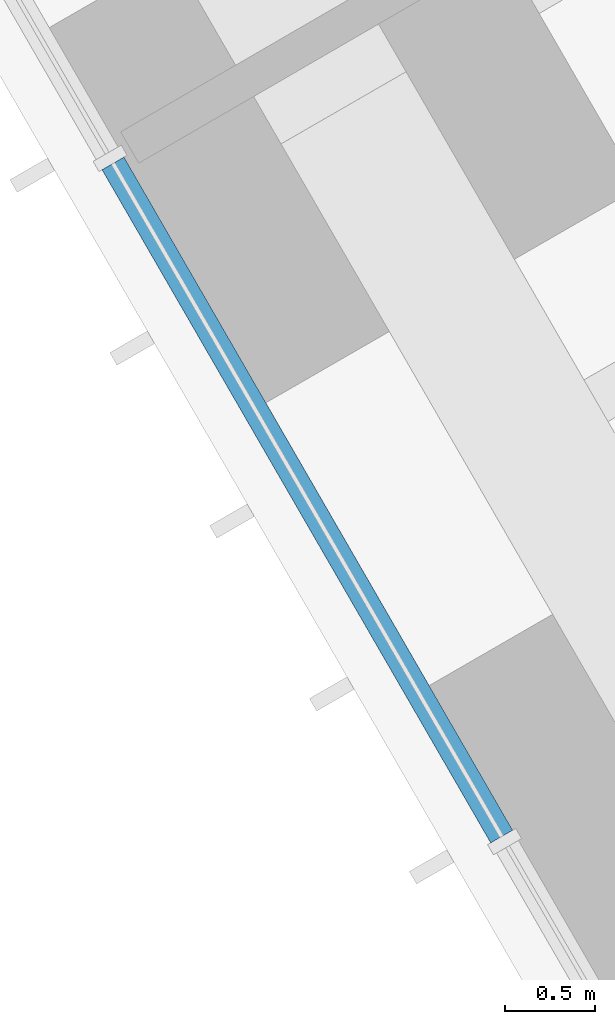
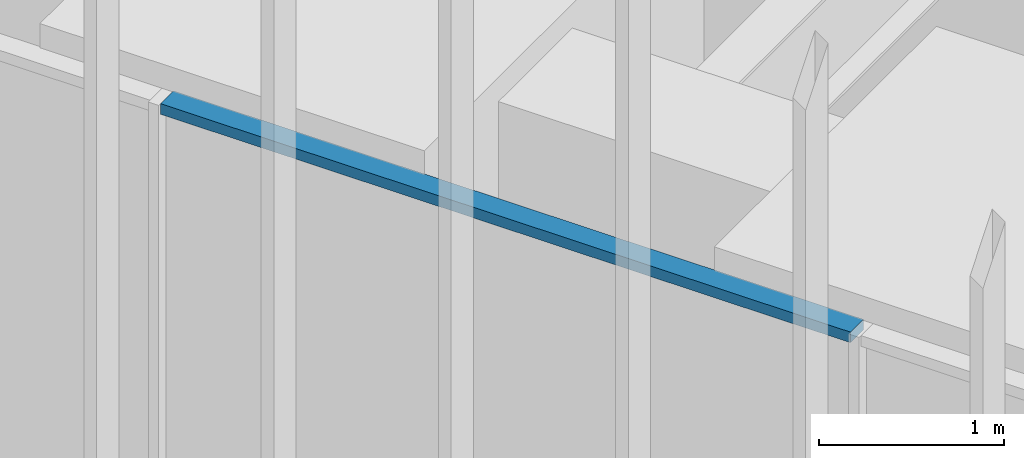
# One storey, part 56 of 256: 1 member, 1 element without a shape of its own.
"""IFC4 building model written with IfcOpenShell, lengths in metres."""

import ifcopenshell
import ifcopenshell.guid

model = None  # the IFC model being written
_history = None  # IfcOwnerHistory: only IFC2X3 demands one
_inside = {}  # id of a spatial element -> (the spatial element, [elements in it])
_under = {}  # id of a project, library or spatial element -> (it, [spatial elements below it])
_declared = {}  # id of a project -> (the project, [libraries it declares])
_typed = {}  # id of a type object -> (the type object, [elements of that type])
_made_of = {}  # id of a material, layer set ... -> (it, [elements and type objects made of it])


def new_model(schema):
    """Start an empty IFC model of exactly this schema.

    Asked for "IFC4X3", IfcOpenShell would pick the latest addendum, in which some entities
    have other attributes; the version numbers below select the first issue.
    IFC2X3 requires an IfcOwnerHistory on every rooted entity: one is made here for all.
    """
    global model, _history
    if schema == "IFC4X3":
        model = ifcopenshell.file(schema_version=(4, 3, 0, 0))
    else:
        model = ifcopenshell.file(schema=schema)
    _inside.clear()
    _under.clear()
    _declared.clear()
    _typed.clear()
    _made_of.clear()
    _history = None
    if model.schema == "IFC2X3":
        org = make("IfcOrganization", Name="unknown")
        user = make(
            "IfcPersonAndOrganization",
            ThePerson=make("IfcPerson", FamilyName="unknown"),
            TheOrganization=org,
        )
        app = make(
            "IfcApplication",
            ApplicationDeveloper=org,
            Version="unknown",
            ApplicationFullName="unknown",
            ApplicationIdentifier="unknown",
        )
        _history = make(
            "IfcOwnerHistory",
            OwningUser=user,
            OwningApplication=app,
            ChangeAction="ADDED",
            CreationDate=0,
        )
    return model


def make(cls, **values):
    """One entity of the class cls with the attributes given. An attribute that is None is left unset."""
    return model.create_entity(
        cls, **{name: value for name, value in values.items() if value is not None}
    )


def rooted(cls, **values):
    """An entity with a GlobalId (a new one), such as an element, a storey or a relation."""
    return make(cls, GlobalId=ifcopenshell.guid.new(), OwnerHistory=_history, **values)


def si_unit(unit_type, name, prefix=None):
    """IfcSIUnit, for example si_unit("LENGTHUNIT", "METRE", prefix="MILLI")."""
    return make("IfcSIUnit", UnitType=unit_type, Prefix=prefix, Name=name)


def assignment(units):
    """IfcUnitAssignment: the units of a project."""
    return None if units is None else make("IfcUnitAssignment", Units=units)


def point(xyz):
    """IfcCartesianPoint."""
    return None if xyz is None else make("IfcCartesianPoint", Coordinates=xyz)


def direction(xyz):
    """IfcDirection."""
    return None if xyz is None else make("IfcDirection", DirectionRatios=xyz)


def frame(location, z_axis=None, x_axis=None):
    """IfcAxis2Placement3D, a coordinate frame: its origin and axes. An axis left out is left unset."""
    return make(
        "IfcAxis2Placement3D",
        Location=point(location),
        Axis=direction(z_axis),
        RefDirection=direction(x_axis),
    )


def frame_2d(location, x_axis=None):
    """IfcAxis2Placement2D, a coordinate frame in the plane: its origin and x axis."""
    return make(
        "IfcAxis2Placement2D", Location=point(location), RefDirection=direction(x_axis)
    )


def origin():
    """The frame at (0, 0, 0) with its axes left unset."""
    return frame((0.0, 0.0, 0.0))


def origin_2d():
    """The frame at (0, 0) in the plane with its x axis left unset."""
    return frame_2d((0.0, 0.0))


def place(relative_to, where):
    """IfcLocalPlacement: puts the frame where relative to a parent placement (None: the world)."""
    return make(
        "IfcLocalPlacement", PlacementRelTo=relative_to, RelativePlacement=where
    )


def context(
    kind, dimensions, precision=None, world=None, true_north=None, identifier=None
):
    """IfcGeometricRepresentationContext, for example the 3D "Model" context."""
    return make(
        "IfcGeometricRepresentationContext",
        ContextIdentifier=identifier,
        ContextType=kind,
        CoordinateSpaceDimension=dimensions,
        Precision=precision,
        WorldCoordinateSystem=world,
        TrueNorth=true_north,
    )


def subcontext(parent, identifier, kind, view, scale=None):
    """IfcGeometricRepresentationSubContext, for example "Body" below "Model"."""
    return make(
        "IfcGeometricRepresentationSubContext",
        ContextIdentifier=identifier,
        ContextType=kind,
        ParentContext=parent,
        TargetScale=scale,
        TargetView=view,
    )


def project(units=None, contexts=None):
    """IfcProject with its units and contexts."""
    return rooted(
        "IfcProject",
        Name="project",
        RepresentationContexts=contexts,
        UnitsInContext=assignment(units),
    )


def spatial(cls, under=None, at=None, **own):
    """A site, building, storey or space (cls), placed at a placement, below another one or the project."""
    s = rooted(cls, ObjectPlacement=at, **own)
    if under is not None:
        _under.setdefault(under.id(), (under, []))[1].append(s)
    return s


def profile(cls, at=None, kind="AREA", **sizes):
    """A parametric profile (cls). Its sizes go by their IFC names, for example OverallWidth=200.0."""
    return make(cls, ProfileType=kind, Position=at, **sizes)


def rectangle(**sizes):
    """IfcRectangleProfileDef."""
    return profile("IfcRectangleProfileDef", **sizes)


def extrude(swept, where, along, depth):
    """IfcExtrudedAreaSolid: the profile swept, set in the frame where, extruded along a direction by depth."""
    return make(
        "IfcExtrudedAreaSolid",
        SweptArea=swept,
        Position=where,
        ExtrudedDirection=direction(along),
        Depth=depth,
    )


def shape(context_of_items, identifier, shape_type, items):
    """IfcShapeRepresentation: the items that make up one representation, for example the "Body"."""
    return make(
        "IfcShapeRepresentation",
        ContextOfItems=context_of_items,
        RepresentationIdentifier=identifier,
        RepresentationType=shape_type,
        Items=items,
    )


def material(Name=None, Category=None):
    """IfcMaterial."""
    return make("IfcMaterial", Name=Name, Category=Category)


def material_profile(
    of_material, cross_section, Name=None, Category=None, Priority=None
):
    """IfcMaterialProfile: a cross section and its material."""
    return make(
        "IfcMaterialProfile",
        Name=Name,
        Material=of_material,
        Profile=cross_section,
        Priority=Priority,
        Category=Category,
    )


def profile_set(profiles, Name=None, composite=None):
    """IfcMaterialProfileSet."""
    return make(
        "IfcMaterialProfileSet",
        Name=Name,
        MaterialProfiles=profiles,
        CompositeProfile=composite,
    )


def made_of(thing, what):
    """Note that an element or type object is made of a material, layer set ...; save() writes the relation."""
    if what is not None:
        _made_of.setdefault(what.id(), (what, []))[1].append(thing)
    return thing


def type_object(cls, material=None, **own):
    """A type object (cls), such as IfcWallType, which elements share."""
    return made_of(rooted(cls, **own), material)


def element(
    cls,
    number,
    at=None,
    inside=None,
    cuts=None,
    type_object=None,
    material=None,
    context=None,
    identifier="Body",
    shape_type=None,
    held_by="IfcProductDefinitionShape",
    body=None,
    shapes=None,
    **own,
):
    """One element of the class cls, such as IfcWall. Its Tag is "e" and its number.

    at: its placement. inside: the storey or other place that contains it. cuts: it is an
    opening in that element (IfcRelVoidsElement). A single representation is given by context,
    identifier, shape_type and body (its items); several are given by shapes. held_by: the class
    of the entity that holds the representations. save() writes the other relations.
    """
    e = rooted(cls, Tag="e%d" % number, ObjectPlacement=at, **own)
    if body is not None:
        shapes = [shape(context, identifier, shape_type, body)]
    if shapes is not None:
        e.Representation = make(held_by, Representations=shapes)
    if inside is not None:
        _inside.setdefault(inside.id(), (inside, []))[1].append(e)
    if cuts is not None:
        rooted(
            "IfcRelVoidsElement", RelatingBuildingElement=cuts, RelatedOpeningElement=e
        )
    if type_object is not None:
        _typed.setdefault(type_object.id(), (type_object, []))[1].append(e)
    return made_of(e, material)


def aggregate(whole, parts):
    """IfcRelAggregates: a whole, such as a stair, and the parts it consists of."""
    return rooted("IfcRelAggregates", RelatingObject=whole, RelatedObjects=parts)


def save(model, path):
    """Write the relations noted so far, then the file.

    IfcRelAggregates (storeys below a building ...), IfcRelContainedInSpatialStructure (elements
    in a storey), IfcRelDefinesByType, IfcRelAssociatesMaterial and IfcRelDeclares: one each for
    every whole, place, type object, material and project.
    """
    for whole, parts in _under.values():
        aggregate(whole, parts)
    for where, things in _inside.values():
        rooted(
            "IfcRelContainedInSpatialStructure",
            RelatedElements=things,
            RelatingStructure=where,
        )
    for kind, things in _typed.values():
        rooted("IfcRelDefinesByType", RelatedObjects=things, RelatingType=kind)
    for what, things in _made_of.values():
        rooted("IfcRelAssociatesMaterial", RelatedObjects=things, RelatingMaterial=what)
    for by, libraries in _declared.values():
        rooted("IfcRelDeclares", RelatingContext=by, RelatedDefinitions=libraries)
    model.write(path)


model = new_model("IFC4")

# Units and contexts
model_context = context("Model", 3, precision=1e-05, world=origin(), true_north=direction((0.0, 1.0)))
body_context = subcontext(model_context, "Body", "Model", "MODEL_VIEW")
ifc_project = project(units=[si_unit("LENGTHUNIT", "METRE"), si_unit("AREAUNIT", "SQUARE_METRE"), si_unit("VOLUMEUNIT", "CUBIC_METRE"), si_unit("PLANEANGLEUNIT", "RADIAN"), si_unit("MASSUNIT", "GRAM", prefix="KILO")], contexts=[model_context])

# Site, building, storey
site_placement = place(None, origin())
site = spatial("IfcSite", under=ifc_project, at=site_placement, CompositionType="ELEMENT")
building_placement = place(site_placement, origin())
building = spatial("IfcBuilding", under=site, at=building_placement, Name="Sandreach Pilgrim Tower", CompositionType="ELEMENT")
storey_placement = place(building_placement, frame((0.0, 0.0, 23.0)))
storey = spatial("IfcBuildingStorey", under=building, at=storey_placement, Name="L04", CompositionType="ELEMENT", Elevation=23.0)

# Curtain wall, member
ifc_material_1 = material(Name="Aluminium framed curtain wall", Category="aluminium")
curtain_wall_type = type_object("IfcCurtainWallType", Name="Hostel tower curtain wall", PredefinedType="NOTDEFINED", material=ifc_material_1)
curtain_wall_placement = place(storey_placement, origin())
curtain_wall = element("IfcCurtainWall", 1, at=curtain_wall_placement, inside=storey, type_object=curtain_wall_type, Name="CW-1 L04 SW", PredefinedType="NOTDEFINED")
ifc_material_2 = material(Name="Aluminium extrusion", Category="aluminium")
ifc_material_profile = material_profile(ifc_material_2, rectangle(XDim=0.139892578125, YDim=0.070068359375, at=origin_2d()), Name="CW-1T 140X70")
ifc_profile_set = profile_set([ifc_material_profile], Name="Aluminium extrusion")
member_type = type_object("IfcMemberType", Name="CW-1 transom", PredefinedType="USERDEFINED", material=ifc_profile_set)
member_placement = place(storey_placement, frame((-24.03515625, -6.267333984375, 3.60498046875), z_axis=(-0.500016891966, 0.866015650984, 0.0), x_axis=(-0.866015650984, -0.500016891966, 0.0)))
member = element("IfcMember", 2, at=member_placement, type_object=member_type, Name="CW-1 head transom 7", ObjectType="TRANSOM", PredefinedType="USERDEFINED", context=body_context, shape_type="SweptSolid", body=[
    extrude(rectangle(XDim=0.139892578125, YDim=0.070068359375, at=origin_2d()), origin(), (0.0, 0.0, 1.0), 4.306396484375),
])
aggregate(curtain_wall, [member])

save(model, "model.ifc")
